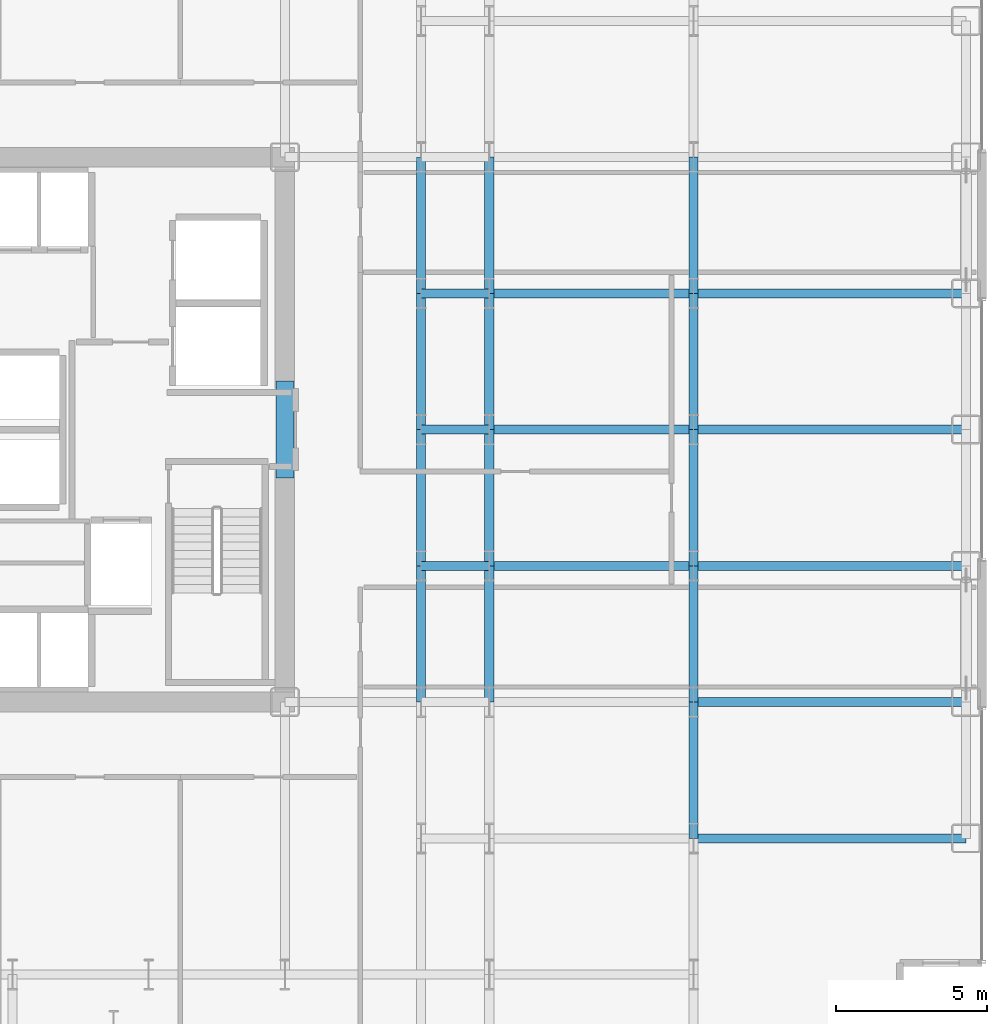
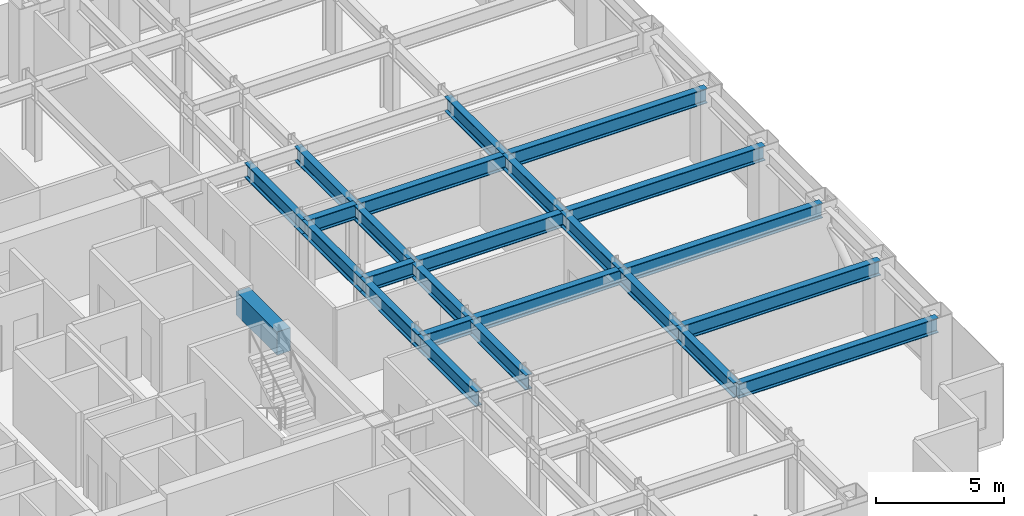
# One storey, part 10 of 29: 25 beams.
"""IFC4 building model written with IfcOpenShell, lengths in metres."""

from ifc_helpers import new_model, si_unit, direction, frame, origin, origin_2d, place, context, subcontext, project, spatial, rectangle, i_section, extrude, source, transform, mapped, material, material_profile, profile_set, type_object, element, save


model = new_model("IFC4")

# Units and contexts
model_context = context("Model", 3, precision=1e-05, world=origin(), true_north=direction((0.0, 1.0)))
body_context = subcontext(model_context, "Body", "Model", "MODEL_VIEW")
ifc_project = project(units=[si_unit("LENGTHUNIT", "METRE"), si_unit("AREAUNIT", "SQUARE_METRE"), si_unit("VOLUMEUNIT", "CUBIC_METRE"), si_unit("PLANEANGLEUNIT", "RADIAN"), si_unit("MASSUNIT", "GRAM", prefix="KILO")], contexts=[model_context])

# Site, building, storey
site_placement = place(None, origin())
site = spatial("IfcSite", under=ifc_project, at=site_placement, CompositionType="ELEMENT")
building_placement = place(site_placement, origin())
building = spatial("IfcBuilding", under=site, at=building_placement, Name="Nefas-Gora Pilgrimage Tower", CompositionType="ELEMENT")
storey_placement = place(building_placement, frame((0.0, 0.0, 55.800048828125)))
storey = spatial("IfcBuildingStorey", under=building, at=storey_placement, Name="L12", CompositionType="ELEMENT", Elevation=55.800048828125)

# Beams
ifc_material_1 = material(Name="Concrete C60/75", Category="concrete")
ifc_material_profile_1 = material_profile(ifc_material_1, rectangle(XDim=0.60009765625, YDim=1.10009765625, at=origin_2d()), Name="RC 600x1100")
ifc_profile_set_1 = profile_set([ifc_material_profile_1], Name="Concrete C60/75")
beam_type_1 = type_object("IfcBeamType", Name="BM-LIN-RC1100", PredefinedType="LINTEL", material=ifc_profile_set_1)
shared_shape_1 = source(origin(), body_context, "Body", "SweptSolid", [
    extrude(rectangle(XDim=0.60009765625, YDim=1.10009765625, at=origin_2d()), origin(), (0.0, 0.0, 1.0), 3.2001953125),
])
beam_placement = place(storey_placement, frame((11.25, -1.60009765625, 3.0), z_axis=(0.0, 1.0, 0.0), x_axis=(-1.0, 0.0, 0.0)))
element("IfcBeam", 1, at=beam_placement, inside=storey, type_object=beam_type_1, Name="L12 Core Coupling Lintel Beam E", PredefinedType="LINTEL", context=body_context, shape_type="MappedRepresentation", body=[
    mapped(shared_shape_1, transform((0.0, 0.0, 0.0), x_axis=(1.0, 0.0, 0.0), y_axis=(0.0, 1.0, 0.0), z_axis=(0.0, 0.0, 1.0), scale=1.0)),
])
ifc_material_2 = material(Name="Steel S355", Category="steel")
ifc_material_profile_2 = material_profile(ifc_material_2, i_section(OverallWidth=0.300048828125, OverallDepth=0.699951171875, WebThickness=0.01708984375, FlangeThickness=0.031982421875, FilletRadius=0.027099609375, at=origin_2d()), Name="HEB 700")
ifc_profile_set_2 = profile_set([ifc_material_profile_2], Name="Steel S355")
beam_type_2 = type_object("IfcBeamType", Name="BM-GIR-HEB700", PredefinedType="BEAM", material=ifc_profile_set_2)
shared_shape_2 = source(origin(), body_context, "Body", "SweptSolid", [
    extrude(i_section(OverallWidth=0.300048828125, OverallDepth=0.699951171875, WebThickness=0.01708984375, FlangeThickness=0.031982421875, FilletRadius=0.027099609375, at=origin_2d()), origin(), (0.0, 0.0, 1.0), 9.0),
])
for number, where, z_axis, x_axis, name in (
    (2, (24.75, -13.5, 3.199951171875), (1.0, 0.0, 0.0), (0.0, 1.0, 0.0), "L12 G-02 beam"),
    (3, (24.75, -9.0, 3.199951171875), (1.0, 0.0, 0.0), (0.0, 1.0, 0.0), "L12 G-02 beam"),
    (4, (24.75, -4.5, 3.199951171875), (1.0, 0.0, 0.0), (0.0, 1.0, 0.0), "L12 G-02 beam"),
    (5, (24.75, 0.0, 3.199951171875), (1.0, 0.0, 0.0), (0.0, 1.0, 0.0), "L12 G-02 beam"),
    (6, (24.75, 4.5, 3.199951171875), (1.0, 0.0, 0.0), (0.0, 1.0, 0.0), "L12 G-02 beam"),
):
    element("IfcBeam", number, at=place(storey_placement, frame(where, z_axis=z_axis, x_axis=x_axis)), inside=storey, type_object=beam_type_2, Name=name, PredefinedType="BEAM", context=body_context, shape_type="MappedRepresentation", body=[
        mapped(shared_shape_2, transform((0.0, 0.0, 0.0), x_axis=(1.0, 0.0, 0.0), y_axis=(0.0, 1.0, 0.0), z_axis=(0.0, 0.0, 1.0), scale=1.0)),
    ])
shared_shape_3 = source(origin(), body_context, "Body", "SweptSolid", [
    extrude(i_section(OverallWidth=0.300048828125, OverallDepth=0.699951171875, WebThickness=0.01708984375, FlangeThickness=0.031982421875, FilletRadius=0.027099609375, at=origin_2d()), origin(), (0.0, 0.0, 1.0), 4.5),
])
for number, where, z_axis, x_axis, name in (
    (7, (15.75, -9.0, 3.199951171875), (0.0, 1.0, 0.0), (-1.0, 0.0, 0.0), "L12 G-02 beam"),
    (8, (15.75, -4.5, 3.199951171875), (0.0, 1.0, 0.0), (-1.0, 0.0, 0.0), "L12 G-02 beam"),
    (9, (15.75, 0.0, 3.199951171875), (0.0, 1.0, 0.0), (-1.0, 0.0, 0.0), "L12 G-02 beam"),
    (10, (15.75, 4.5, 3.199951171875), (0.0, 1.0, 0.0), (-1.0, 0.0, 0.0), "L12 G-02 beam"),
    (11, (18.0, -9.0, 3.199951171875), (0.0, 1.0, 0.0), (-1.0, 0.0, 0.0), "L12 G-02 beam"),
    (12, (18.0, -4.5, 3.199951171875), (0.0, 1.0, 0.0), (-1.0, 0.0, 0.0), "L12 G-02 beam"),
    (13, (18.0, 0.0, 3.199951171875), (0.0, 1.0, 0.0), (-1.0, 0.0, 0.0), "L12 G-02 beam"),
    (14, (18.0, 4.5, 3.199951171875), (0.0, 1.0, 0.0), (-1.0, 0.0, 0.0), "L12 G-02 beam"),
    (15, (24.75, -13.5, 3.199951171875), (0.0, 1.0, 0.0), (-1.0, 0.0, 0.0), "L12 G-02 beam"),
    (16, (24.75, -9.0, 3.199951171875), (0.0, 1.0, 0.0), (-1.0, 0.0, 0.0), "L12 G-02 beam"),
    (17, (24.75, -4.5, 3.199951171875), (0.0, 1.0, 0.0), (-1.0, 0.0, 0.0), "L12 G-02 beam"),
    (18, (24.75, 0.0, 3.199951171875), (0.0, 1.0, 0.0), (-1.0, 0.0, 0.0), "L12 G-02 beam"),
    (19, (24.75, 4.5, 3.199951171875), (0.0, 1.0, 0.0), (-1.0, 0.0, 0.0), "L12 G-02 beam"),
):
    element("IfcBeam", number, at=place(storey_placement, frame(where, z_axis=z_axis, x_axis=x_axis)), inside=storey, type_object=beam_type_2, Name=name, PredefinedType="BEAM", context=body_context, shape_type="MappedRepresentation", body=[
        mapped(shared_shape_3, transform((0.0, 0.0, 0.0), x_axis=(1.0, 0.0, 0.0), y_axis=(0.0, 1.0, 0.0), z_axis=(0.0, 0.0, 1.0), scale=1.0)),
    ])
shared_shape_4 = source(origin(), body_context, "Body", "SweptSolid", [
    extrude(i_section(OverallWidth=0.300048828125, OverallDepth=0.699951171875, WebThickness=0.01708984375, FlangeThickness=0.031982421875, FilletRadius=0.027099609375, at=origin_2d()), origin(), (0.0, 0.0, 1.0), 6.75),
])
for number, where, z_axis, x_axis, name in (
    (20, (18.0, -4.5, 3.199951171875), (1.0, 0.0, 0.0), (0.0, 1.0, 0.0), "L12 G-02 beam"),
    (21, (18.0, 0.0, 3.199951171875), (1.0, 0.0, 0.0), (0.0, 1.0, 0.0), "L12 G-02 beam"),
    (22, (18.0, 4.5, 3.199951171875), (1.0, 0.0, 0.0), (0.0, 1.0, 0.0), "L12 G-02 beam"),
):
    element("IfcBeam", number, at=place(storey_placement, frame(where, z_axis=z_axis, x_axis=x_axis)), inside=storey, type_object=beam_type_2, Name=name, PredefinedType="BEAM", context=body_context, shape_type="MappedRepresentation", body=[
        mapped(shared_shape_4, transform((0.0, 0.0, 0.0), x_axis=(1.0, 0.0, 0.0), y_axis=(0.0, 1.0, 0.0), z_axis=(0.0, 0.0, 1.0), scale=1.0)),
    ])
shared_shape_5 = source(origin(), body_context, "Body", "SweptSolid", [
    extrude(i_section(OverallWidth=0.300048828125, OverallDepth=0.699951171875, WebThickness=0.01708984375, FlangeThickness=0.031982421875, FilletRadius=0.027099609375, at=origin_2d()), origin(), (0.0, 0.0, 1.0), 2.25),
])
for number, where, z_axis, x_axis, name in (
    (23, (15.75, -4.5, 3.199951171875), (1.0, 0.0, 0.0), (0.0, 1.0, 0.0), "L12 G-02 beam"),
    (24, (15.75, 0.0, 3.199951171875), (1.0, 0.0, 0.0), (0.0, 1.0, 0.0), "L12 G-02 beam"),
    (25, (15.75, 4.5, 3.199951171875), (1.0, 0.0, 0.0), (0.0, 1.0, 0.0), "L12 G-02 beam"),
):
    element("IfcBeam", number, at=place(storey_placement, frame(where, z_axis=z_axis, x_axis=x_axis)), inside=storey, type_object=beam_type_2, Name=name, PredefinedType="BEAM", context=body_context, shape_type="MappedRepresentation", body=[
        mapped(shared_shape_5, transform((0.0, 0.0, 0.0), x_axis=(1.0, 0.0, 0.0), y_axis=(0.0, 1.0, 0.0), z_axis=(0.0, 0.0, 1.0), scale=1.0)),
    ])

save(model, "model.ifc")
